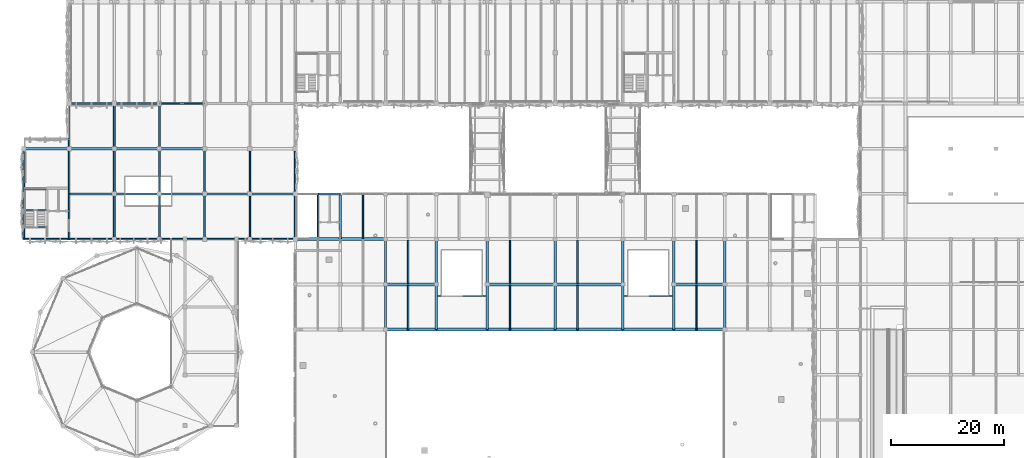
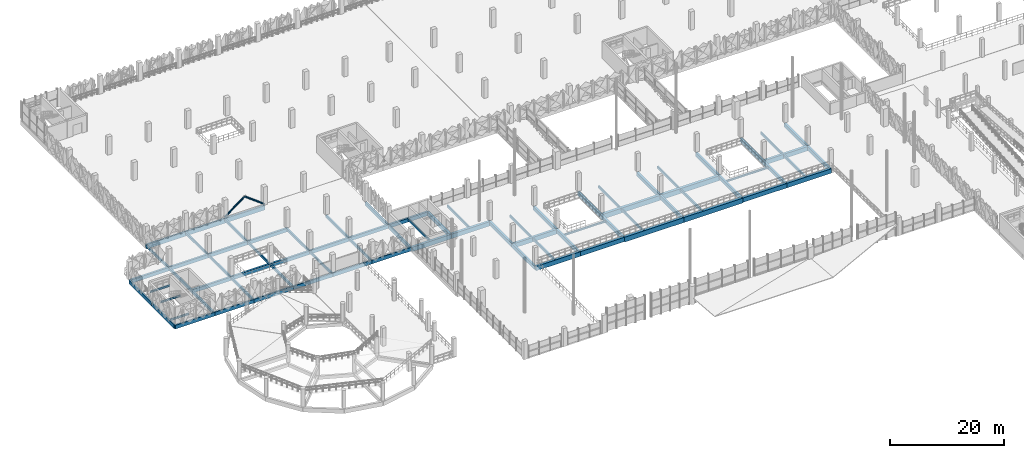
# One storey, part 27 of 123: 78 beams, 2 members.
"""IFC4 building model written with IfcOpenShell, lengths in metres."""

from ifc_helpers import new_model, si_unit, derived_unit, direction, frame, origin, origin_2d, place, context, subcontext, project, spatial, rectangle, hollow_circle, i_section, extrude, material, material_profile, profile_set, type_object, element, save


model = new_model("IFC4")

# Units and contexts
model_context = context("Model", 3, precision=1e-05, world=origin(), true_north=direction((0.0, 1.0)))
body_context = subcontext(model_context, "Body", "Model", "MODEL_VIEW")
ifc_project = project(units=[si_unit("LENGTHUNIT", "METRE"), si_unit("AREAUNIT", "SQUARE_METRE"), si_unit("VOLUMEUNIT", "CUBIC_METRE"), si_unit("PLANEANGLEUNIT", "RADIAN"), si_unit("MASSUNIT", "GRAM", prefix="KILO"), si_unit("THERMODYNAMICTEMPERATUREUNIT", "KELVIN"), derived_unit("THERMALTRANSMITTANCEUNIT", [(si_unit("POWERUNIT", "WATT"), 1), (si_unit("AREAUNIT", "SQUARE_METRE"), -1), (si_unit("THERMODYNAMICTEMPERATUREUNIT", "KELVIN"), -1)])], contexts=[model_context])

# Site, building, storey
site_placement = place(None, origin())
site = spatial("IfcSite", under=ifc_project, at=site_placement, CompositionType="ELEMENT")
building_placement = place(site_placement, origin())
building = spatial("IfcBuilding", under=site, at=building_placement, Name="Haiyu Intermodal Mobility Hub", CompositionType="ELEMENT")
storey_placement = place(building_placement, frame((0.0, 0.0, 5.60009765625)))
storey = spatial("IfcBuildingStorey", under=building, at=storey_placement, Name="L01", CompositionType="ELEMENT", Elevation=5.60009765625)

# Beams
ifc_material_1 = material(Name="Concrete C40", Category="concrete")
ifc_material_profile_1 = material_profile(ifc_material_1, rectangle(XDim=0.5, YDim=0.949951171875, at=origin_2d()), Name="RCB500x950")
ifc_profile_set_1 = profile_set([ifc_material_profile_1], Name="Concrete C40")
beam_type_1 = type_object("IfcBeamType", Name="BM-CB01", PredefinedType="BEAM", material=ifc_profile_set_1)
for number, where, z_axis, x_axis, name in (
    (1, (78.0, 64.0, -0.735107421875), (1.0, 0.0, 0.0), (0.0, 1.0, 0.0), "BM-V1G-L01-003"),
    (2, (87.0, 64.0, -0.735107421875), (1.0, 0.0, 0.0), (0.0, 1.0, 0.0), "BM-V1G-L01-004"),
    (3, (120.0, 64.0, -0.735107421875), (1.0, 0.0, 0.0), (0.0, 1.0, 0.0), "BM-V1G-L01-007"),
    (4, (129.0, 64.0, -0.735107421875), (1.0, 0.0, 0.0), (0.0, 1.0, 0.0), "BM-V1G-L01-008"),
    (5, (78.0, 72.0, -0.735107421875), (1.0, 0.0, 0.0), (0.0, 1.0, 0.0), "BM-V1G-L01-013"),
    (6, (129.0, 72.0, -0.735107421875), (1.0, 0.0, 0.0), (0.0, 1.0, 0.0), "BM-V1G-L01-018"),
):
    element("IfcBeam", number, at=place(storey_placement, frame(where, z_axis=z_axis, x_axis=x_axis)), inside=storey, type_object=beam_type_1, Name=name, PredefinedType="BEAM", context=body_context, shape_type="SweptSolid", body=[
        extrude(rectangle(XDim=0.5, YDim=0.949951171875, at=origin_2d()), origin(), (0.0, 0.0, 1.0), 9.0),
    ])
for number, where, z_axis, x_axis, name in (
    (7, (62.0, 80.0, -0.735107421875), (1.0, 0.0, 0.0), (0.0, 1.0, 0.0), "BM-V1G-L01-021"),
    (8, (70.0, 80.0, -0.735107421875), (1.0, 0.0, 0.0), (0.0, 1.0, 0.0), "BM-V1G-L01-022"),
):
    element("IfcBeam", number, at=place(storey_placement, frame(where, z_axis=z_axis, x_axis=x_axis)), inside=storey, type_object=beam_type_1, Name=name, PredefinedType="BEAM", context=body_context, shape_type="SweptSolid", body=[
        extrude(rectangle(XDim=0.5, YDim=0.949951171875, at=origin_2d()), origin(), (0.0, 0.0, 1.0), 8.0),
    ])
ifc_material_profile_2 = material_profile(ifc_material_1, rectangle(XDim=0.39990234375, YDim=0.75, at=origin_2d()), Name="RCB400x750")
ifc_profile_set_2 = profile_set([ifc_material_profile_2], Name="Concrete C40")
beam_type_2 = type_object("IfcBeamType", Name="BM-CB03", PredefinedType="BEAM", material=ifc_profile_set_2)
for number, where, z_axis, x_axis, name in (
    (9, (22.0, 88.0, -0.64013671875), (1.0, 0.0, 0.0), (0.0, 1.0, 0.0), "BM-V4WG-L01-008"),
    (10, (30.0, 88.0, -0.64013671875), (1.0, 0.0, 0.0), (0.0, 1.0, 0.0), "BM-V4WG-L01-009"),
    (11, (38.0, 88.0, -0.64013671875), (1.0, 0.0, 0.0), (0.0, 1.0, 0.0), "BM-V4WG-L01-010"),
    (12, (46.0, 88.0, -0.64013671875), (1.0, 0.0, 0.0), (0.0, 1.0, 0.0), "BM-V4WG-L01-011"),
    (13, (54.0, 88.0, -0.64013671875), (1.0, 0.0, 0.0), (0.0, 1.0, 0.0), "BM-V4WG-L01-012"),
    (14, (14.0, 96.0, -0.64013671875), (1.0, 0.0, 0.0), (0.0, 1.0, 0.0), "BM-V4WG-L01-013"),
    (15, (22.0, 96.0, -0.64013671875), (1.0, 0.0, 0.0), (0.0, 1.0, 0.0), "BM-V4WG-L01-014"),
    (16, (30.0, 96.0, -0.64013671875), (1.0, 0.0, 0.0), (0.0, 1.0, 0.0), "BM-V4WG-L01-015"),
    (17, (38.0, 96.0, -0.64013671875), (1.0, 0.0, 0.0), (0.0, 1.0, 0.0), "BM-V4WG-L01-016"),
):
    element("IfcBeam", number, at=place(storey_placement, frame(where, z_axis=z_axis, x_axis=x_axis)), inside=storey, type_object=beam_type_2, Name=name, PredefinedType="BEAM", context=body_context, shape_type="SweptSolid", body=[
        extrude(rectangle(XDim=0.39990234375, YDim=0.75, at=origin_2d()), origin(), (0.0, 0.0, 1.0), 8.0),
    ])
ifc_material_profile_3 = material_profile(ifc_material_1, rectangle(XDim=0.39990234375, YDim=0.800048828125, at=origin_2d()), Name="RCB400x800")
ifc_profile_set_3 = profile_set([ifc_material_profile_3], Name="Concrete C40")
beam_type_3 = type_object("IfcBeamType", Name="BM-CB05", PredefinedType="BEAM", material=ifc_profile_set_3)
beam_1_placement = place(storey_placement, frame((62.0, 88.0, -0.66015625), z_axis=(1.0, 0.0, 0.0), x_axis=(0.0, 1.0, 0.0)))
element("IfcBeam", 18, at=beam_1_placement, inside=storey, type_object=beam_type_3, Name="BM-V1G-L01-031", PredefinedType="BEAM", context=body_context, shape_type="SweptSolid", body=[
    extrude(rectangle(XDim=0.39990234375, YDim=0.800048828125, at=origin_2d()), origin(), (0.0, 0.0, 1.0), 8.0),
])
ifc_material_profile_4 = material_profile(ifc_material_1, rectangle(XDim=0.280029296875, YDim=0.5400390625, at=origin_2d()), Name="RCB280x540")
ifc_profile_set_4 = profile_set([ifc_material_profile_4], Name="Concrete C40")
beam_type_4 = type_object("IfcBeamType", Name="BM-CB08", PredefinedType="JOIST", material=ifc_profile_set_4)
for number, where, z_axis, x_axis, name in (
    (19, (22.0, 80.0, -0.53515625), (0.0, 1.0, 0.0), (-1.0, 0.0, 0.0), "BM-V4WJ-L01-003"),
    (20, (22.0, 88.0, -0.53515625), (0.0, 1.0, 0.0), (-1.0, 0.0, 0.0), "BM-V4WJ-L01-004"),
    (21, (22.0, 96.0, -0.53515625), (0.0, 1.0, 0.0), (-1.0, 0.0, 0.0), "BM-V4WJ-L01-005"),
    (22, (30.0, 80.0, -0.53515625), (0.0, 1.0, 0.0), (-1.0, 0.0, 0.0), "BM-V4WJ-L01-006"),
    (23, (30.0, 88.0, -0.53515625), (0.0, 1.0, 0.0), (-1.0, 0.0, 0.0), "BM-V4WJ-L01-007"),
    (24, (30.0, 96.0, -0.53515625), (0.0, 1.0, 0.0), (-1.0, 0.0, 0.0), "BM-V4WJ-L01-008"),
    (25, (38.0, 80.0, -0.53515625), (0.0, 1.0, 0.0), (-1.0, 0.0, 0.0), "BM-V4WJ-L01-009"),
    (26, (38.0, 88.0, -0.53515625), (0.0, 1.0, 0.0), (-1.0, 0.0, 0.0), "BM-V4WJ-L01-010"),
    (27, (38.0, 96.0, -0.53515625), (0.0, 1.0, 0.0), (-1.0, 0.0, 0.0), "BM-V4WJ-L01-011"),
    (28, (46.0, 80.0, -0.53515625), (0.0, 1.0, 0.0), (-1.0, 0.0, 0.0), "BM-V4WJ-L01-012"),
    (29, (46.0, 88.0, -0.53515625), (0.0, 1.0, 0.0), (-1.0, 0.0, 0.0), "BM-V4WJ-L01-013"),
    (30, (54.0, 80.0, -0.53515625), (0.0, 1.0, 0.0), (-1.0, 0.0, 0.0), "BM-V4WJ-L01-015"),
    (31, (54.0, 88.0, -0.53515625), (0.0, 1.0, 0.0), (-1.0, 0.0, 0.0), "BM-V4WJ-L01-016"),
):
    element("IfcBeam", number, at=place(storey_placement, frame(where, z_axis=z_axis, x_axis=x_axis)), inside=storey, type_object=beam_type_4, Name=name, PredefinedType="JOIST", context=body_context, shape_type="SweptSolid", body=[
        extrude(rectangle(XDim=0.280029296875, YDim=0.5400390625, at=origin_2d()), origin(), (0.0, 0.0, 1.0), 8.0),
    ])
ifc_material_profile_5 = material_profile(ifc_material_1, rectangle(XDim=0.550048828125, YDim=1.050048828125, at=origin_2d()), Name="B550x1050")
ifc_profile_set_5 = profile_set([ifc_material_profile_5], Name="Concrete C40")
beam_type_5 = type_object("IfcBeamType", Name="BM-CB12", PredefinedType="BEAM", material=ifc_profile_set_5)
for number, where, z_axis, x_axis, name in (
    (32, (96.0, 64.0, -0.78515625), (1.0, 0.0, 0.0), (0.0, 1.0, 0.0), "BM-V1G-L01-005"),
    (33, (108.0, 64.0, -0.78515625), (1.0, 0.0, 0.0), (0.0, 1.0, 0.0), "BM-V1G-L01-006"),
    (34, (96.0, 72.0, -0.78515625), (1.0, 0.0, 0.0), (0.0, 1.0, 0.0), "BM-V1G-L01-015"),
    (35, (108.0, 72.0, -0.78515625), (1.0, 0.0, 0.0), (0.0, 1.0, 0.0), "BM-V1G-L01-016"),
):
    element("IfcBeam", number, at=place(storey_placement, frame(where, z_axis=z_axis, x_axis=x_axis)), inside=storey, type_object=beam_type_5, Name=name, PredefinedType="BEAM", context=body_context, shape_type="SweptSolid", body=[
        extrude(rectangle(XDim=0.550048828125, YDim=1.050048828125, at=origin_2d()), origin(), (0.0, 0.0, 1.0), 12.0),
    ])
ifc_material_profile_6 = material_profile(ifc_material_1, rectangle(XDim=0.419921875, YDim=0.780029296875, at=origin_2d()), Name="B420x780")
ifc_profile_set_6 = profile_set([ifc_material_profile_6], Name="Concrete C40")
beam_type_6 = type_object("IfcBeamType", Name="BM-CB14", PredefinedType="BEAM", material=ifc_profile_set_6)
for number, where, z_axis, x_axis, name in (
    (36, (70.0, 80.0, -0.650146484375), (0.0, 1.0, 0.0), (-1.0, 0.0, 0.0), "BM-V1T-L01-006"),
    (37, (78.0, 64.0, -0.650146484375), (0.0, 1.0, 0.0), (-1.0, 0.0, 0.0), "BM-V1T-L01-007"),
    (38, (78.0, 72.0, -0.650146484375), (0.0, 1.0, 0.0), (-1.0, 0.0, 0.0), "BM-V1T-L01-008"),
    (39, (87.0, 64.0, -0.650146484375), (0.0, 1.0, 0.0), (-1.0, 0.0, 0.0), "BM-V1T-L01-010"),
    (40, (87.0, 72.0, -0.650146484375), (0.0, 1.0, 0.0), (-1.0, 0.0, 0.0), "BM-V1T-L01-011"),
    (41, (96.0, 64.0, -0.650146484375), (0.0, 1.0, 0.0), (-1.0, 0.0, 0.0), "BM-V1T-L01-013"),
    (42, (96.0, 72.0, -0.650146484375), (0.0, 1.0, 0.0), (-1.0, 0.0, 0.0), "BM-V1T-L01-014"),
    (43, (108.0, 64.0, -0.650146484375), (0.0, 1.0, 0.0), (-1.0, 0.0, 0.0), "BM-V1T-L01-016"),
    (44, (108.0, 72.0, -0.650146484375), (0.0, 1.0, 0.0), (-1.0, 0.0, 0.0), "BM-V1T-L01-017"),
    (45, (120.0, 64.0, -0.650146484375), (0.0, 1.0, 0.0), (-1.0, 0.0, 0.0), "BM-V1T-L01-019"),
    (46, (120.0, 72.0, -0.650146484375), (0.0, 1.0, 0.0), (-1.0, 0.0, 0.0), "BM-V1T-L01-020"),
    (47, (129.0, 64.0, -0.650146484375), (0.0, 1.0, 0.0), (-1.0, 0.0, 0.0), "BM-V1T-L01-022"),
    (48, (129.0, 72.0, -0.650146484375), (0.0, 1.0, 0.0), (-1.0, 0.0, 0.0), "BM-V1T-L01-023"),
    (49, (138.0, 64.0, -0.650146484375), (0.0, 1.0, 0.0), (-1.0, 0.0, 0.0), "BM-V1T-L01-025"),
    (50, (138.0, 72.0, -0.650146484375), (0.0, 1.0, 0.0), (-1.0, 0.0, 0.0), "BM-V1T-L01-026"),
):
    element("IfcBeam", number, at=place(storey_placement, frame(where, z_axis=z_axis, x_axis=x_axis)), inside=storey, type_object=beam_type_6, Name=name, PredefinedType="BEAM", context=body_context, shape_type="SweptSolid", body=[
        extrude(rectangle(XDim=0.419921875, YDim=0.780029296875, at=origin_2d()), origin(), (0.0, 0.0, 1.0), 8.0),
    ])
ifc_material_profile_7 = material_profile(ifc_material_1, rectangle(XDim=0.260009765625, YDim=0.52001953125, at=origin_2d()), Name="B260x520")
ifc_profile_set_7 = profile_set([ifc_material_profile_7], Name="Concrete C40")
beam_type_7 = type_object("IfcBeamType", Name="BM-CB18", PredefinedType="JOIST", material=ifc_profile_set_7)
for number, where, z_axis, x_axis, name in (
    (51, (66.0, 80.195068359375, -0.52001953125), (0.0, 1.0, 0.0), (-1.0, 0.0, 0.0), "BM-V1J-L01-003"),
    (52, (74.0, 80.195068359375, -0.52001953125), (0.0, 1.0, 0.0), (-1.0, 0.0, 0.0), "BM-V1J-L01-006"),
    (53, (82.0, 64.0, -0.52001953125), (0.0, 1.0, 0.0), (-1.0, 0.0, 0.0), "BM-V1J-L01-007"),
):
    element("IfcBeam", number, at=place(storey_placement, frame(where, z_axis=z_axis, x_axis=x_axis)), inside=storey, type_object=beam_type_7, Name=name, PredefinedType="JOIST", context=body_context, shape_type="SweptSolid", body=[
        extrude(rectangle(XDim=0.260009765625, YDim=0.52001953125, at=origin_2d()), origin(), (0.0, 0.0, 1.0), 7.804931640625),
    ])
beam_2_placement = place(storey_placement, frame((82.0, 72.195068359375, -0.52001953125), z_axis=(0.0, 1.0, 0.0), x_axis=(-1.0, 0.0, 0.0)))
element("IfcBeam", 54, at=beam_2_placement, inside=storey, type_object=beam_type_7, Name="BM-V1J-L01-008", PredefinedType="JOIST", context=body_context, shape_type="SweptSolid", body=[
    extrude(rectangle(XDim=0.260009765625, YDim=0.52001953125, at=origin_2d()), origin(), (0.0, 0.0, 1.0), 7.60986328125),
])
beam_3_placement = place(storey_placement, frame((100.0, 64.0, -0.52001953125), z_axis=(0.0, 1.0, 0.0), x_axis=(-1.0, 0.0, 0.0)))
element("IfcBeam", 55, at=beam_3_placement, inside=storey, type_object=beam_type_7, Name="BM-V1J-L01-013", PredefinedType="JOIST", context=body_context, shape_type="SweptSolid", body=[
    extrude(rectangle(XDim=0.260009765625, YDim=0.52001953125, at=origin_2d()), origin(), (0.0, 0.0, 1.0), 7.804931640625),
])
beam_4_placement = place(storey_placement, frame((100.0, 72.195068359375, -0.52001953125), z_axis=(0.0, 1.0, 0.0), x_axis=(-1.0, 0.0, 0.0)))
element("IfcBeam", 56, at=beam_4_placement, inside=storey, type_object=beam_type_7, Name="BM-V1J-L01-014", PredefinedType="JOIST", context=body_context, shape_type="SweptSolid", body=[
    extrude(rectangle(XDim=0.260009765625, YDim=0.52001953125, at=origin_2d()), origin(), (0.0, 0.0, 1.0), 7.60986328125),
])
beam_5_placement = place(storey_placement, frame((112.0, 64.0, -0.52001953125), z_axis=(0.0, 1.0, 0.0), x_axis=(-1.0, 0.0, 0.0)))
element("IfcBeam", 57, at=beam_5_placement, inside=storey, type_object=beam_type_7, Name="BM-V1J-L01-016", PredefinedType="JOIST", context=body_context, shape_type="SweptSolid", body=[
    extrude(rectangle(XDim=0.260009765625, YDim=0.52001953125, at=origin_2d()), origin(), (0.0, 0.0, 1.0), 7.804931640625),
])
beam_6_placement = place(storey_placement, frame((112.0, 72.195068359375, -0.52001953125), z_axis=(0.0, 1.0, 0.0), x_axis=(-1.0, 0.0, 0.0)))
element("IfcBeam", 58, at=beam_6_placement, inside=storey, type_object=beam_type_7, Name="BM-V1J-L01-017", PredefinedType="JOIST", context=body_context, shape_type="SweptSolid", body=[
    extrude(rectangle(XDim=0.260009765625, YDim=0.52001953125, at=origin_2d()), origin(), (0.0, 0.0, 1.0), 7.60986328125),
])
beam_7_placement = place(storey_placement, frame((133.0, 64.0, -0.52001953125), z_axis=(0.0, 1.0, 0.0), x_axis=(-1.0, 0.0, 0.0)))
element("IfcBeam", 59, at=beam_7_placement, inside=storey, type_object=beam_type_7, Name="BM-V1J-L01-022", PredefinedType="JOIST", context=body_context, shape_type="SweptSolid", body=[
    extrude(rectangle(XDim=0.260009765625, YDim=0.52001953125, at=origin_2d()), origin(), (0.0, 0.0, 1.0), 7.804931640625),
])
beam_8_placement = place(storey_placement, frame((133.0, 72.195068359375, -0.52001953125), z_axis=(0.0, 1.0, 0.0), x_axis=(-1.0, 0.0, 0.0)))
element("IfcBeam", 60, at=beam_8_placement, inside=storey, type_object=beam_type_7, Name="BM-V1J-L01-023", PredefinedType="JOIST", context=body_context, shape_type="SweptSolid", body=[
    extrude(rectangle(XDim=0.260009765625, YDim=0.52001953125, at=origin_2d()), origin(), (0.0, 0.0, 1.0), 7.60986328125),
])
ifc_material_2 = material(Name="Steel Q355C", Category="steel")
ifc_material_profile_8 = material_profile(ifc_material_2, i_section(OverallWidth=0.199951171875, OverallDepth=0.39990234375, WebThickness=0.008056640625, FlangeThickness=0.012939453125, FilletRadius=0.01611328125, at=origin_2d()), Name="HN400x200x8x13")
ifc_profile_set_8 = profile_set([ifc_material_profile_8], Name="Steel Q355C")
beam_type_8 = type_object("IfcBeamType", Name="BM-SB08", PredefinedType="JOIST", material=ifc_profile_set_8)
for number, where, z_axis, x_axis, name in (
    (61, (14.0, 82.10009765625, -0.525146484375), (1.0, 0.0, 0.0), (0.0, 1.0, 0.0), "Stair Arrival Trimmer Beam C7-L00"),
    (62, (14.0, 85.1298828125, 1.52490234375), (1.0, 0.0, 0.0), (0.0, 1.0, 0.0), "Stair Half-Landing Front Beam C7-L01"),
    (63, (14.0, 88.780029296875, 1.52490234375), (1.0, 0.0, 0.0), (0.0, 1.0, 0.0), "Stair Half-Landing Rear Beam C7-L01"),
):
    element("IfcBeam", number, at=place(storey_placement, frame(where, z_axis=z_axis, x_axis=x_axis)), inside=storey, type_object=beam_type_8, Name=name, PredefinedType="JOIST", context=body_context, shape_type="SweptSolid", body=[
        extrude(i_section(OverallWidth=0.199951171875, OverallDepth=0.39990234375, WebThickness=0.008056640625, FlangeThickness=0.012939453125, FilletRadius=0.01611328125, at=origin_2d()), origin(), (0.0, 0.0, 1.0), 4.050048828125),
    ])
for number, where, z_axis, x_axis, name in (
    (64, (87.0, 69.949951171875, -0.47509765625), (1.0, 0.0, 0.0), (0.0, 1.0, 0.0), "BM-MST1-TOP"),
    (65, (120.0, 69.949951171875, -0.47509765625), (1.0, 0.0, 0.0), (0.0, 1.0, 0.0), "BM-MST2-TOP"),
):
    element("IfcBeam", number, at=place(storey_placement, frame(where, z_axis=z_axis, x_axis=x_axis)), inside=storey, type_object=beam_type_8, Name=name, PredefinedType="JOIST", context=body_context, shape_type="SweptSolid", body=[
        extrude(i_section(OverallWidth=0.199951171875, OverallDepth=0.39990234375, WebThickness=0.008056640625, FlangeThickness=0.012939453125, FilletRadius=0.01611328125, at=origin_2d()), origin(), (0.0, 0.0, 1.0), 9.0),
    ])
ifc_material_3 = material(Name="Precast concrete C40", Category="concrete")
ifc_material_profile_9 = material_profile(ifc_material_3, rectangle(XDim=0.35009765625, YDim=0.949951171875, at=origin_2d()), Name="PC350x950")
ifc_profile_set_9 = profile_set([ifc_material_profile_9], Name="Precast concrete C40")
beam_type_9 = type_object("IfcBeamType", Name="BM-SP01", PredefinedType="SPANDREL", material=ifc_profile_set_9)
for number, where, z_axis, x_axis, name in (
    (66, (22.0, 104.0, -0.75), (1.0, 0.0, 0.0), (0.0, 1.0, 0.0), "BM-V4G-L01-001"),
    (67, (30.0, 104.0, -0.75), (1.0, 0.0, 0.0), (0.0, 1.0, 0.0), "BM-V4G-L01-002"),
    (68, (38.0, 104.0, -0.75), (1.0, 0.0, 0.0), (0.0, 1.0, 0.0), "BM-V4G-L01-003"),
):
    element("IfcBeam", number, at=place(storey_placement, frame(where, z_axis=z_axis, x_axis=x_axis)), inside=storey, type_object=beam_type_9, Name=name, PredefinedType="SPANDREL", context=body_context, shape_type="SweptSolid", body=[
        extrude(rectangle(XDim=0.35009765625, YDim=0.949951171875, at=origin_2d()), origin(), (0.0, 0.0, 1.0), 8.0),
    ])
ifc_material_profile_10 = material_profile(ifc_material_3, rectangle(XDim=0.300048828125, YDim=0.780029296875, at=origin_2d()), Name="PC300x780")
ifc_profile_set_10 = profile_set([ifc_material_profile_10], Name="Precast concrete C40")
beam_type_10 = type_object("IfcBeamType", Name="BM-SP03", PredefinedType="SPANDREL", material=ifc_profile_set_10)
for number, where, z_axis, x_axis, name in (
    (69, (14.0, 80.0, -0.655029296875), (1.0, 0.0, 0.0), (0.0, 1.0, 0.0), "BM-V4WG-L01-001"),
    (70, (22.0, 80.0, -0.655029296875), (1.0, 0.0, 0.0), (0.0, 1.0, 0.0), "BM-V4WG-L01-002"),
    (71, (30.0, 80.0, -0.655029296875), (1.0, 0.0, 0.0), (0.0, 1.0, 0.0), "BM-V4WG-L01-003"),
    (72, (38.0, 80.0, -0.655029296875), (1.0, 0.0, 0.0), (0.0, 1.0, 0.0), "BM-V4WG-L01-004"),
    (73, (46.0, 80.0, -0.655029296875), (1.0, 0.0, 0.0), (0.0, 1.0, 0.0), "BM-V4WG-L01-005"),
    (74, (54.0, 80.0, -0.655029296875), (1.0, 0.0, 0.0), (0.0, 1.0, 0.0), "BM-V4WG-L01-006"),
    (75, (14.0, 80.0, -0.655029296875), (0.0, 1.0, 0.0), (-1.0, 0.0, 0.0), "BM-V4WJ-L01-001"),
    (76, (14.0, 88.0, -0.655029296875), (0.0, 1.0, 0.0), (-1.0, 0.0, 0.0), "BM-V4WJ-L01-002"),
    (77, (62.0, 80.0, -0.655029296875), (0.0, 1.0, 0.0), (-1.0, 0.0, 0.0), "BM-V4WJ-L01-018"),
    (78, (62.0, 88.0, -0.655029296875), (0.0, 1.0, 0.0), (-1.0, 0.0, 0.0), "BM-V4WJ-L01-019"),
):
    element("IfcBeam", number, at=place(storey_placement, frame(where, z_axis=z_axis, x_axis=x_axis)), inside=storey, type_object=beam_type_10, Name=name, PredefinedType="SPANDREL", context=body_context, shape_type="SweptSolid", body=[
        extrude(rectangle(XDim=0.300048828125, YDim=0.780029296875, at=origin_2d()), origin(), (0.0, 0.0, 1.0), 8.0),
    ])

# Members
ifc_material_profile_11 = material_profile(ifc_material_2, hollow_circle(Radius=0.177978515625, WallThickness=0.011962890625, at=origin_2d()), Name="CHS356x12")
ifc_profile_set_11 = profile_set([ifc_material_profile_11], Name="Steel Q355C")
member_type = type_object("IfcMemberType", Name="MEM-BR01", PredefinedType="BRACE", material=ifc_profile_set_11)
for number, where, z_axis, x_axis, name in (
    (79, (38.0, 104.0, 0.0), (0.8, 0.0, 0.6), (0.0, 1.0, 0.0), "Seismic Chevron Brace B4-L01-A"),
    (80, (46.0, 104.0, 0.0), (-0.8, 0.0, 0.6), (0.0, -1.0, 0.0), "Seismic Chevron Brace B4-L01-B"),
):
    element("IfcMember", number, at=place(storey_placement, frame(where, z_axis=z_axis, x_axis=x_axis)), inside=storey, type_object=member_type, Name=name, PredefinedType="BRACE", context=body_context, shape_type="SweptSolid", body=[
        extrude(hollow_circle(Radius=0.177978515625, WallThickness=0.011962890625, at=origin_2d()), origin(), (0.0, 0.0, 1.0), 5.0),
    ])

save(model, "model.ifc")
